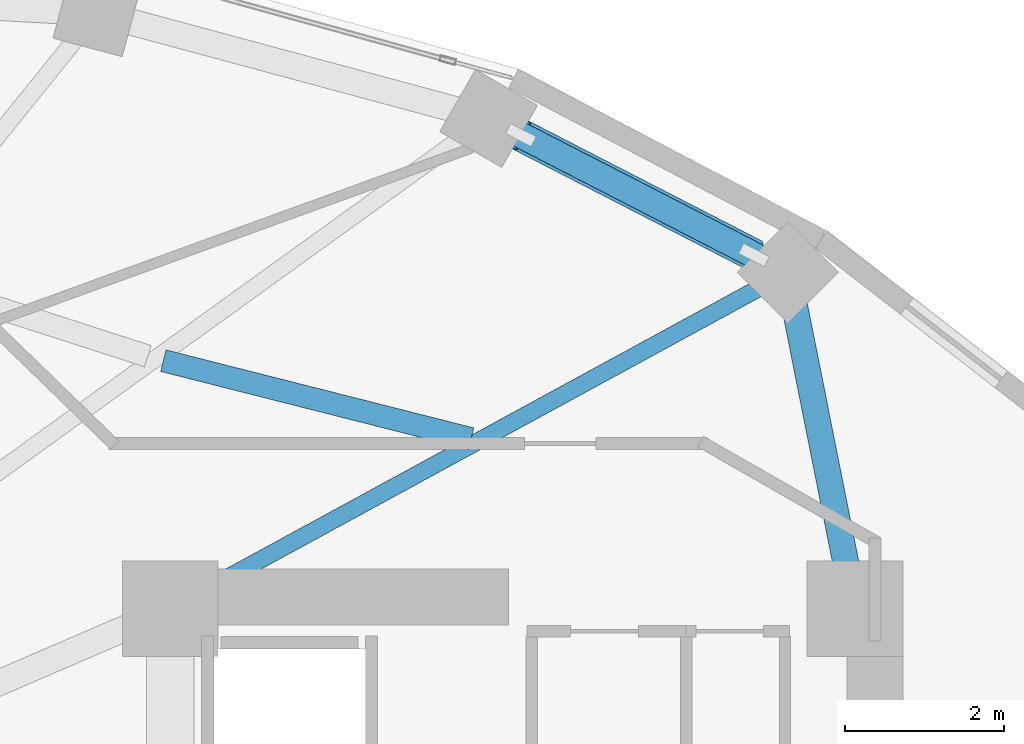
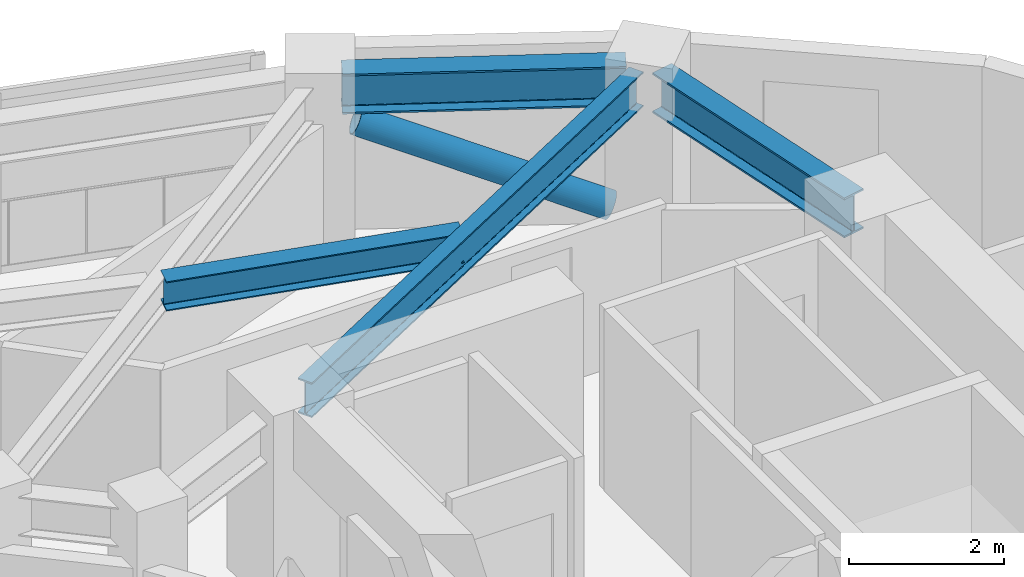
# One storey, part 7 of 17: 4 beams, 1 member.
"""IFC4 building model written with IfcOpenShell, lengths in metres."""

from ifc_helpers import new_model, si_unit, direction, frame, origin, origin_2d, place, context, subcontext, project, spatial, hollow_circle, i_section, extrude, material, material_profile, profile_set, type_object, element, save


model = new_model("IFC4")

# Units and contexts
model_context = context("Model", 3, precision=1e-05, world=origin(), true_north=direction((0.0, 1.0)))
body_context = subcontext(model_context, "Body", "Model", "MODEL_VIEW")
ifc_project = project(units=[si_unit("LENGTHUNIT", "METRE"), si_unit("AREAUNIT", "SQUARE_METRE"), si_unit("VOLUMEUNIT", "CUBIC_METRE"), si_unit("PLANEANGLEUNIT", "RADIAN"), si_unit("MASSUNIT", "GRAM", prefix="KILO")], contexts=[model_context])

# Site, building, storey
site_placement = place(None, origin())
site = spatial("IfcSite", under=ifc_project, at=site_placement, CompositionType="ELEMENT")
building_placement = place(site_placement, origin())
building = spatial("IfcBuilding", under=site, at=building_placement, Name="Solvane Sanctuary Tower", CompositionType="ELEMENT")
storey_placement = place(building_placement, frame((0.0, 0.0, 171.5)))
storey = spatial("IfcBuildingStorey", under=building, at=storey_placement, Name="L52", CompositionType="ELEMENT", Elevation=171.5)

# Beams
ifc_material = material(Name="Steel ASTM A992 Grade 50", Category="steel")
ifc_material_profile_1 = material_profile(ifc_material, i_section(OverallWidth=0.214111328125, OverallDepth=0.549072265625, WebThickness=0.0146484375, FlangeThickness=0.023681640625, FilletRadius=0.014892578125, at=origin_2d()), Name="W21X93")
ifc_profile_set_1 = profile_set([ifc_material_profile_1], Name="Steel ASTM A992 Grade 50")
beam_type_1 = type_object("IfcBeamType", Name="Beam B-RAD-Z3 W21X93", PredefinedType="JOIST", material=ifc_profile_set_1)
beam_1_placement = place(storey_placement, frame((40.416015625, 30.372314453125, 2.603515625), z_axis=(0.878108435277, 0.478461676516, 0.0), x_axis=(-0.478461676516, 0.878108435277, 0.0)))
element("IfcBeam", 1, at=beam_1_placement, inside=storey, type_object=beam_type_1, Name="L52 Radial Composite Floor Beam 01", PredefinedType="JOIST", context=body_context, shape_type="SweptSolid", body=[
    extrude(i_section(OverallWidth=0.214111328125, OverallDepth=0.549072265625, WebThickness=0.0146484375, FlangeThickness=0.023681640625, FilletRadius=0.014892578125, at=origin_2d()), origin(), (0.0, 0.0, 1.0), 8.193359375),
])
ifc_material_profile_2 = material_profile(ifc_material, i_section(OverallWidth=0.280029296875, OverallDepth=0.462890625, WebThickness=0.0107421875, FlangeThickness=0.017333984375, FilletRadius=0.013916015625, at=origin_2d()), Name="W18X76")
ifc_profile_set_2 = profile_set([ifc_material_profile_2], Name="Steel ASTM A992 Grade 50")
beam_type_2 = type_object("IfcBeamType", Name="Beam B-SEC-JOIST W18X76", PredefinedType="JOIST", material=ifc_profile_set_2)
beam_2_placement = place(storey_placement, frame((40.012939453125, 33.31787109375, 2.646484375), z_axis=(0.969378020231, -0.245573316737, 0.0), x_axis=(0.245573316737, 0.969378020231, 0.0)))
element("IfcBeam", 2, at=beam_2_placement, inside=storey, type_object=beam_type_2, Name="L52 Secondary Circumferential Joist 02-01", PredefinedType="JOIST", context=body_context, shape_type="SweptSolid", body=[
    extrude(i_section(OverallWidth=0.280029296875, OverallDepth=0.462890625, WebThickness=0.0107421875, FlangeThickness=0.017333984375, FilletRadius=0.013916015625, at=origin_2d()), origin(), (0.0, 0.0, 1.0), 3.988525390625),
])
ifc_material_profile_3 = material_profile(ifc_material, i_section(OverallWidth=0.327880859375, OverallDepth=0.6279296875, WebThickness=0.0166015625, FlangeThickness=0.027587890625, FilletRadius=0.01611328125, at=origin_2d()), Name="W24X146")
ifc_profile_set_3 = profile_set([ifc_material_profile_3], Name="Steel ASTM A992 Grade 50")
beam_type_3 = type_object("IfcBeamType", Name="Beam B-SPAND-Z3 W24X146", PredefinedType="SPANDREL", material=ifc_profile_set_3)
beam_3_placement = place(storey_placement, frame((44.34716796875, 36.231201171875, 2.56396484375), z_axis=(0.889295540094, -0.457332966632, 0.0), x_axis=(0.457332966632, 0.889295540094, 0.0)))
element("IfcBeam", 3, at=beam_3_placement, inside=storey, type_object=beam_type_3, Name="L52 Perimeter Spandrel Beam TC02-TC01", PredefinedType="SPANDREL", context=body_context, shape_type="SweptSolid", body=[
    extrude(i_section(OverallWidth=0.327880859375, OverallDepth=0.6279296875, WebThickness=0.0166015625, FlangeThickness=0.027587890625, FilletRadius=0.01611328125, at=origin_2d()), origin(), (0.0, 0.0, 1.0), 3.66650390625),
])
beam_4_placement = place(storey_placement, frame((47.911376953125, 34.15185546875, 2.56396484375), z_axis=(0.195715452505, -0.980660727087, 0.0), x_axis=(0.980660727087, 0.195715452505, 0.0)))
element("IfcBeam", 4, at=beam_4_placement, inside=storey, type_object=beam_type_3, Name="L52 Perimeter Spandrel Beam TC01-CE3", PredefinedType="SPANDREL", context=body_context, shape_type="SweptSolid", body=[
    extrude(i_section(OverallWidth=0.327880859375, OverallDepth=0.6279296875, WebThickness=0.0166015625, FlangeThickness=0.027587890625, FilletRadius=0.01611328125, at=origin_2d()), origin(), (0.0, 0.0, 1.0), 3.749755859375),
])

# Member
ifc_material_profile_4 = material_profile(ifc_material, hollow_circle(Radius=0.202880859375, WallThickness=0.012451171875, at=origin_2d()), Name="CHS406X12.5")
ifc_profile_set_4 = profile_set([ifc_material_profile_4], Name="Steel ASTM A992 Grade 50")
member_type = type_object("IfcMemberType", Name="Member M-TUBE-Z3 CHS406X12.5", PredefinedType="BRACE", material=ifc_profile_set_4)
member_placement = place(storey_placement, frame((47.42822265625, 34.646728515625, 0.593017578125), z_axis=(-0.813229340921, 0.418236115998, 0.404643782036), x_axis=(-0.457351371069, -0.889286075108, 0.0)))
element("IfcMember", 5, at=member_placement, inside=storey, type_object=member_type, Name="L52 Perimeter Braced-Tube Diagonal NE", PredefinedType="BRACE", context=body_context, shape_type="SweptSolid", body=[
    extrude(hollow_circle(Radius=0.202880859375, WallThickness=0.012451171875, at=origin_2d()), origin(), (0.0, 0.0, 1.0), 3.59228515625),
])

save(model, "model.ifc")
